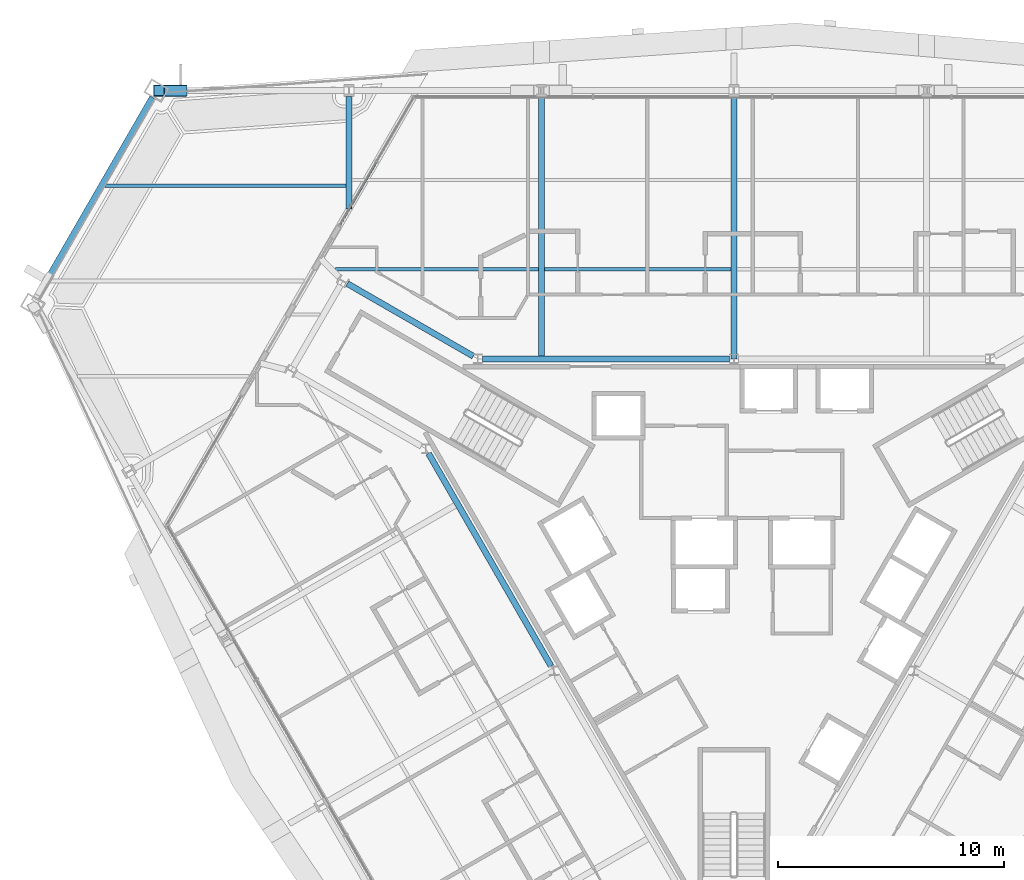
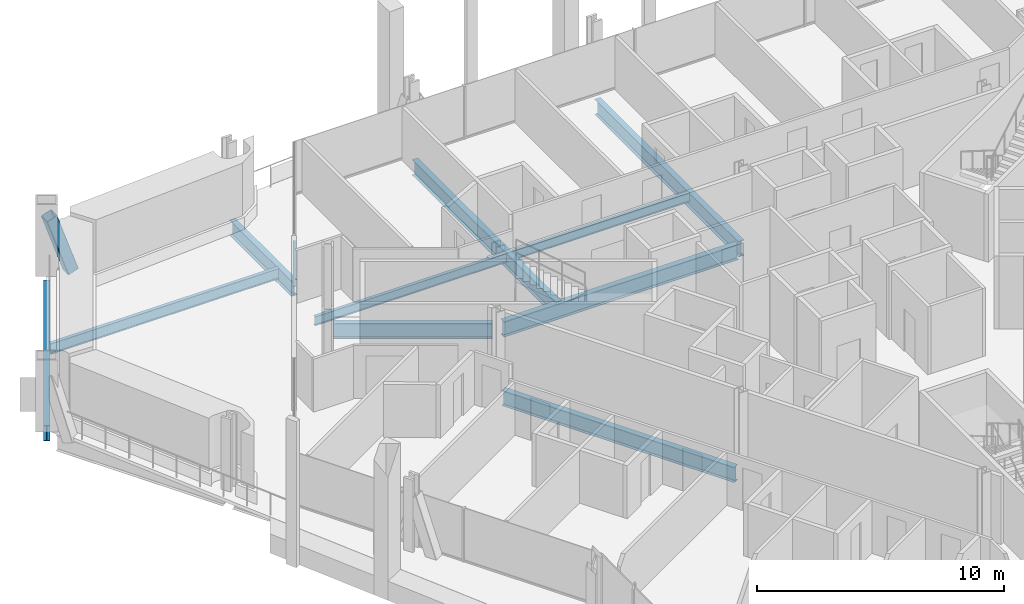
# One storey, part 7 of 19: 10 beams, 2 members, 1 element without a shape of its own.
"""IFC4 building model written with IfcOpenShell, lengths in metres."""

from ifc_helpers import new_model, si_unit, direction, frame, origin, origin_2d, place, context, subcontext, project, spatial, rectangle, hollow_rectangle, i_section, extrude, material, material_profile, profile_set, type_object, element, aggregate, save


model = new_model("IFC4")

# Units and contexts
model_context = context("Model", 3, precision=1e-05, world=origin(), true_north=direction((0.0, 1.0)))
body_context = subcontext(model_context, "Body", "Model", "MODEL_VIEW")
ifc_project = project(units=[si_unit("LENGTHUNIT", "METRE"), si_unit("AREAUNIT", "SQUARE_METRE"), si_unit("VOLUMEUNIT", "CUBIC_METRE"), si_unit("PLANEANGLEUNIT", "RADIAN"), si_unit("MASSUNIT", "GRAM", prefix="KILO")], contexts=[model_context])

# Site, building, storey
site_placement = place(None, origin())
site = spatial("IfcSite", under=ifc_project, at=site_placement, CompositionType="ELEMENT")
building_placement = place(site_placement, origin())
building = spatial("IfcBuilding", under=site, at=building_placement, Name="Verrane Prism Tower", CompositionType="ELEMENT")
storey_placement = place(building_placement, frame((0.0, 0.0, 58.39990234375)))
storey = spatial("IfcBuildingStorey", under=building, at=storey_placement, Name="L12", CompositionType="ELEMENT", Elevation=58.39990234375)

# Beams
ifc_material_1 = material(Name="Steel A992", Category="steel")
ifc_material_profile_1 = material_profile(ifc_material_1, i_section(OverallWidth=0.2666015625, OverallDepth=0.76708984375, WebThickness=0.014892578125, FlangeThickness=0.023681640625, FilletRadius=0.0166015625, at=origin_2d()), Name="W30x124")
ifc_profile_set_1 = profile_set([ifc_material_profile_1], Name="Steel A992")
beam_type_1 = type_object("IfcBeamType", Name="Chamfer spandrel beam W30x124", PredefinedType="SPANDREL", material=ifc_profile_set_1)
beam_1_placement = place(storey_placement, frame((-25.724853515625, 20.766845703125, -0.54345703125), z_axis=(-0.499796720239, -0.866142735603, 0.0), x_axis=(0.866142735603, -0.499796720239, 0.0)))
element("IfcBeam", 1, at=beam_1_placement, inside=storey, type_object=beam_type_1, Name="Chamfer spandrel beam L12", PredefinedType="SPANDREL", context=body_context, shape_type="SweptSolid", body=[
    extrude(i_section(OverallWidth=0.2666015625, OverallDepth=0.76708984375, WebThickness=0.014892578125, FlangeThickness=0.023681640625, FilletRadius=0.0166015625, at=origin_2d()), origin(), (0.0, 0.0, 1.0), 10.244873046875),
])
ifc_material_2 = material(Name="Steel A992", Category="steel")
ifc_material_profile_2 = material_profile(ifc_material_2, i_section(OverallWidth=0.2666015625, OverallDepth=0.7568359375, WebThickness=0.013916015625, FlangeThickness=0.019287109375, FilletRadius=0.0166015625, at=origin_2d()), Name="W30x108")
ifc_profile_set_2 = profile_set([ifc_material_profile_2], Name="Steel A992")
beam_type_2 = type_object("IfcBeamType", Name="Core ring girder W30x108", PredefinedType="BEAM", material=ifc_profile_set_2)
beam_2_placement = place(storey_placement, frame((-0.203125, 9.199951171875, -0.62841796875), z_axis=(-1.0, 0.0, 0.0), x_axis=(0.0, -1.0, 0.0)))
element("IfcBeam", 2, at=beam_2_placement, inside=storey, type_object=beam_type_2, Name="Core ring girder L12", PredefinedType="BEAM", context=body_context, shape_type="SweptSolid", body=[
    extrude(i_section(OverallWidth=0.2666015625, OverallDepth=0.7568359375, WebThickness=0.013916015625, FlangeThickness=0.019287109375, FilletRadius=0.0166015625, at=origin_2d()), origin(), (0.0, 0.0, 1.0), 10.923583984375),
])
beam_3_placement = place(storey_placement, frame((-11.533203125, 9.317138671875, -0.62841796875), z_axis=(-0.866447229751, 0.499268663203, 0.0), x_axis=(-0.499268663203, -0.866447229751, 0.0)))
element("IfcBeam", 3, at=beam_3_placement, inside=storey, type_object=beam_type_2, Name="Core ring girder L12", PredefinedType="BEAM", context=body_context, shape_type="SweptSolid", body=[
    extrude(i_section(OverallWidth=0.2666015625, OverallDepth=0.7568359375, WebThickness=0.013916015625, FlangeThickness=0.019287109375, FilletRadius=0.0166015625, at=origin_2d()), origin(), (0.0, 0.0, 1.0), 6.428466796875),
])
beam_4_placement = place(storey_placement, frame((-13.510009765625, 5.01171875, -0.62841796875), z_axis=(0.499371892062, -0.866387738498, 0.0), x_axis=(0.866387738498, 0.499371892062, 0.0)))
element("IfcBeam", 4, at=beam_4_placement, inside=storey, type_object=beam_type_2, Name="Core ring girder L12", PredefinedType="BEAM", context=body_context, shape_type="SweptSolid", body=[
    extrude(i_section(OverallWidth=0.2666015625, OverallDepth=0.7568359375, WebThickness=0.013916015625, FlangeThickness=0.019287109375, FilletRadius=0.0166015625, at=origin_2d()), origin(), (0.0, 0.0, 1.0), 10.853515625),
])

# Member
ifc_material_3 = material(Name="Steel A1085 Grade A", Category="steel")
ifc_material_profile_3 = material_profile(ifc_material_3, hollow_rectangle(XDim=0.508056640625, YDim=0.508056640625, WallThickness=0.025390625, InnerFilletRadius=0.0126953125, OuterFilletRadius=0.0380859375, at=origin_2d()), Name="HSS20x20x1")
ifc_profile_set_3 = profile_set([ifc_material_profile_3], Name="Steel A1085 Grade A")
member_type_1 = type_object("IfcMemberType", Name="Facade brace HSS20x20x1", PredefinedType="BRACE", material=ifc_profile_set_3)
member_1_placement = place(storey_placement, frame((-24.432861328125, 21.070068359375, -0.242431640625), z_axis=(-0.320322509025, 0.0, 0.947308550691), x_axis=(0.0, -1.0, 0.0)))
element("IfcMember", 5, at=member_1_placement, inside=storey, type_object=member_type_1, Name="Facade brace N5 L12", PredefinedType="BRACE", context=body_context, shape_type="SweptSolid", body=[
    extrude(hollow_rectangle(XDim=0.508056640625, YDim=0.508056640625, WallThickness=0.025390625, InnerFilletRadius=0.0126953125, OuterFilletRadius=0.0380859375, at=origin_2d()), origin(), (0.0, 0.0, 1.0), 3.1279296875),
])

# Beams
ifc_material_4 = material(Name="Steel A992", Category="steel")
ifc_material_profile_4 = material_profile(ifc_material_4, i_section(OverallWidth=0.15234375, OverallDepth=0.449462890625, WebThickness=0.007568359375, FlangeThickness=0.0107421875, FilletRadius=0.01025390625, at=origin_2d()), Name="W18x35")
ifc_profile_set_4 = profile_set([ifc_material_profile_4], Name="Steel A992")
beam_type_3 = type_object("IfcBeamType", Name="Floor beam W18x35", PredefinedType="BEAM", material=ifc_profile_set_4)
beam_5_placement = place(storey_placement, frame((-8.386474609375, 13.15673828125, -0.384765625), z_axis=(1.0, 0.0, 0.0), x_axis=(0.0, 1.0, 0.0)))
element("IfcBeam", 6, at=beam_5_placement, inside=storey, type_object=beam_type_3, Name="Floor beam L12", PredefinedType="BEAM", context=body_context, shape_type="SweptSolid", body=[
    extrude(i_section(OverallWidth=0.15234375, OverallDepth=0.449462890625, WebThickness=0.007568359375, FlangeThickness=0.0107421875, FilletRadius=0.01025390625, at=origin_2d()), origin(), (0.0, 0.0, 1.0), 8.2529296875),
])
beam_6_placement = place(storey_placement, frame((-17.61962890625, 13.15673828125, -0.384765625), z_axis=(1.0, 0.0, 0.0), x_axis=(0.0, 1.0, 0.0)))
element("IfcBeam", 7, at=beam_6_placement, inside=storey, type_object=beam_type_3, Name="Floor beam L12", PredefinedType="BEAM", context=body_context, shape_type="SweptSolid", body=[
    extrude(i_section(OverallWidth=0.15234375, OverallDepth=0.449462890625, WebThickness=0.007568359375, FlangeThickness=0.0107421875, FilletRadius=0.01025390625, at=origin_2d()), origin(), (0.0, 0.0, 1.0), 8.966064453125),
])
ifc_material_5 = material(Name="Steel A992", Category="steel")
ifc_material_profile_5 = material_profile(ifc_material_5, i_section(OverallWidth=0.1650390625, OverallDepth=0.52587890625, WebThickness=0.0087890625, FlangeThickness=0.011474609375, FilletRadius=0.0126953125, at=origin_2d()), Name="W21x44")
ifc_profile_set_5 = profile_set([ifc_material_profile_5], Name="Steel A992")
beam_type_4 = type_object("IfcBeamType", Name="Floor beam W21x44", PredefinedType="BEAM", material=ifc_profile_set_5)
beam_7_placement = place(storey_placement, frame((-27.826416015625, 16.857421875, -0.4228515625), z_axis=(1.0, 0.0, 0.0), x_axis=(0.0, 1.0, 0.0)))
element("IfcBeam", 8, at=beam_7_placement, inside=storey, type_object=beam_type_4, Name="Floor beam L12", PredefinedType="BEAM", context=body_context, shape_type="SweptSolid", body=[
    extrude(i_section(OverallWidth=0.1650390625, OverallDepth=0.52587890625, WebThickness=0.0087890625, FlangeThickness=0.011474609375, FilletRadius=0.0126953125, at=origin_2d()), origin(), (0.0, 0.0, 1.0), 10.662841796875),
])
ifc_material_6 = material(Name="Steel A992", Category="steel")
ifc_material_profile_6 = material_profile(ifc_material_6, i_section(OverallWidth=0.2666015625, OverallDepth=0.76708984375, WebThickness=0.014892578125, FlangeThickness=0.023681640625, FilletRadius=0.0166015625, at=origin_2d()), Name="W30x124")
ifc_profile_set_6 = profile_set([ifc_material_profile_6], Name="Steel A992")
beam_type_5 = type_object("IfcBeamType", Name="Radial girder W30x124", PredefinedType="BEAM", material=ifc_profile_set_6)
for number, where, z_axis, x_axis, name in (
    (9, (0.0, 20.8046875, -0.603515625), (0.0, -1.0, 0.0), (1.0, 0.0, 0.0), "Radial girder L12"),
    (10, (-8.52001953125, 20.8046875, -0.603515625), (0.0, -1.0, 0.0), (1.0, 0.0, 0.0), "Radial girder L12"),
):
    element("IfcBeam", number, at=place(storey_placement, frame(where, z_axis=z_axis, x_axis=x_axis)), inside=storey, type_object=beam_type_5, Name=name, PredefinedType="BEAM", context=body_context, shape_type="SweptSolid", body=[
        extrude(i_section(OverallWidth=0.2666015625, OverallDepth=0.76708984375, WebThickness=0.014892578125, FlangeThickness=0.023681640625, FilletRadius=0.0166015625, at=origin_2d()), origin(), (0.0, 0.0, 1.0), 11.604736328125),
    ])
beam_8_placement = place(storey_placement, frame((-17.030029296875, 20.8046875, -0.603515625), z_axis=(0.0, -1.0, 0.0), x_axis=(1.0, 0.0, 0.0)))
element("IfcBeam", 11, at=beam_8_placement, inside=storey, type_object=beam_type_5, Name="Radial girder L12", PredefinedType="BEAM", context=body_context, shape_type="SweptSolid", body=[
    extrude(i_section(OverallWidth=0.2666015625, OverallDepth=0.76708984375, WebThickness=0.014892578125, FlangeThickness=0.023681640625, FilletRadius=0.0166015625, at=origin_2d()), origin(), (0.0, 0.0, 1.0), 4.980224609375),
])

# Curtain wall, member
ifc_material_7 = material(Name="Aluminium framed insulated glazing", Category="aluminium")
curtain_wall_type = type_object("IfcCurtainWallType", Name="Curtain wall CW-C 4200 module", PredefinedType="NOTDEFINED", material=ifc_material_7)
curtain_wall_placement = place(storey_placement, origin())
curtain_wall = element("IfcCurtainWall", 12, at=curtain_wall_placement, inside=storey, type_object=curtain_wall_type, Name="Glazed curtain wall garden cut line L12 1", PredefinedType="NOTDEFINED")
ifc_material_8 = material(Name="Aluminium alloy 6063-T6", Category="aluminium")
ifc_material_profile_7 = material_profile(ifc_material_8, rectangle(XDim=0.10009765625, YDim=0.050048828125, at=origin_2d()), Name="Transom 50x100 aluminium")
ifc_profile_set_7 = profile_set([ifc_material_profile_7], Name="Aluminium alloy 6063-T6")
member_type_2 = type_object("IfcMemberType", Name="Transom 50x100 aluminium", PredefinedType="USERDEFINED", material=ifc_profile_set_7)
member_2_placement = place(storey_placement, frame((-15.823486328125, 17.913818359375, 0.025146484375), z_axis=(-0.499993545862, -0.866029130051, 0.0), x_axis=(0.866029130051, -0.499993545862, 0.0)))
member_2 = element("IfcMember", 13, at=member_2_placement, type_object=member_type_2, Name="CW12.3.1 transom 2", ObjectType="TRANSOM", PredefinedType="USERDEFINED", context=body_context, shape_type="SweptSolid", body=[
    extrude(rectangle(XDim=0.10009765625, YDim=0.050048828125, at=origin_2d()), origin(), (0.0, 0.0, 1.0), 3.22216796875),
])
aggregate(curtain_wall, [member_2])

save(model, "model.ifc")
